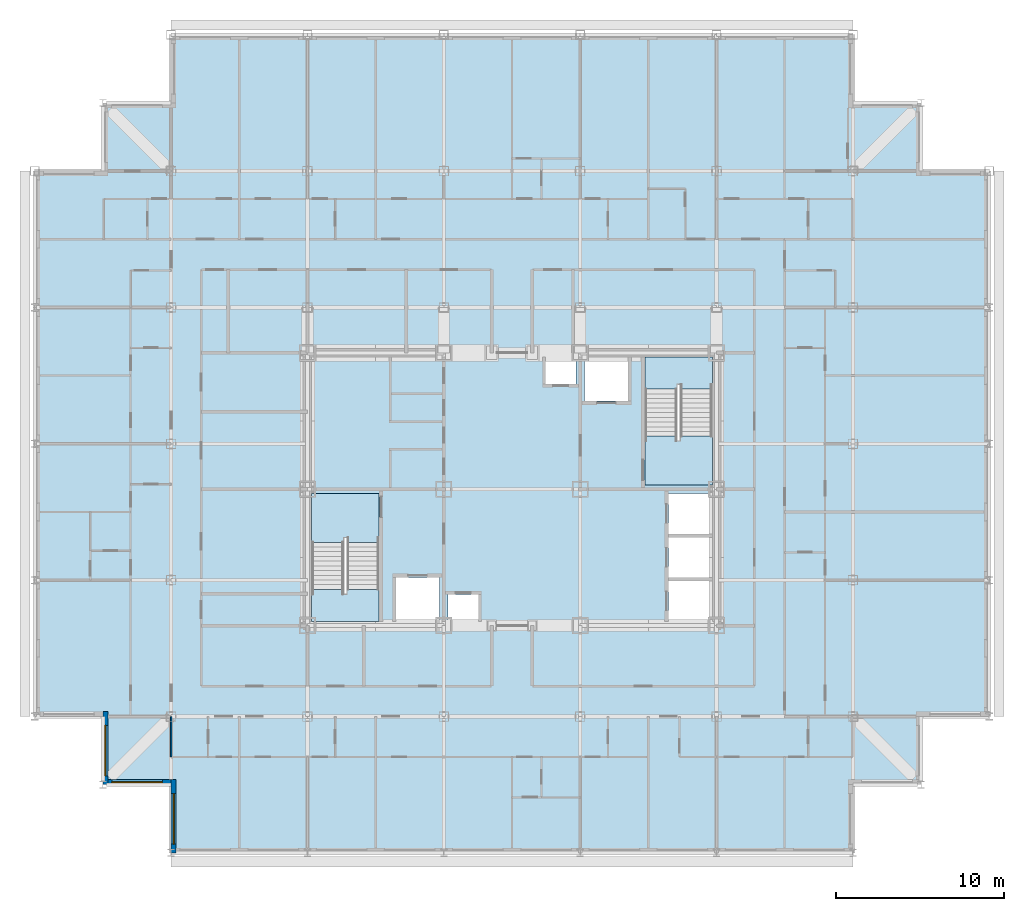
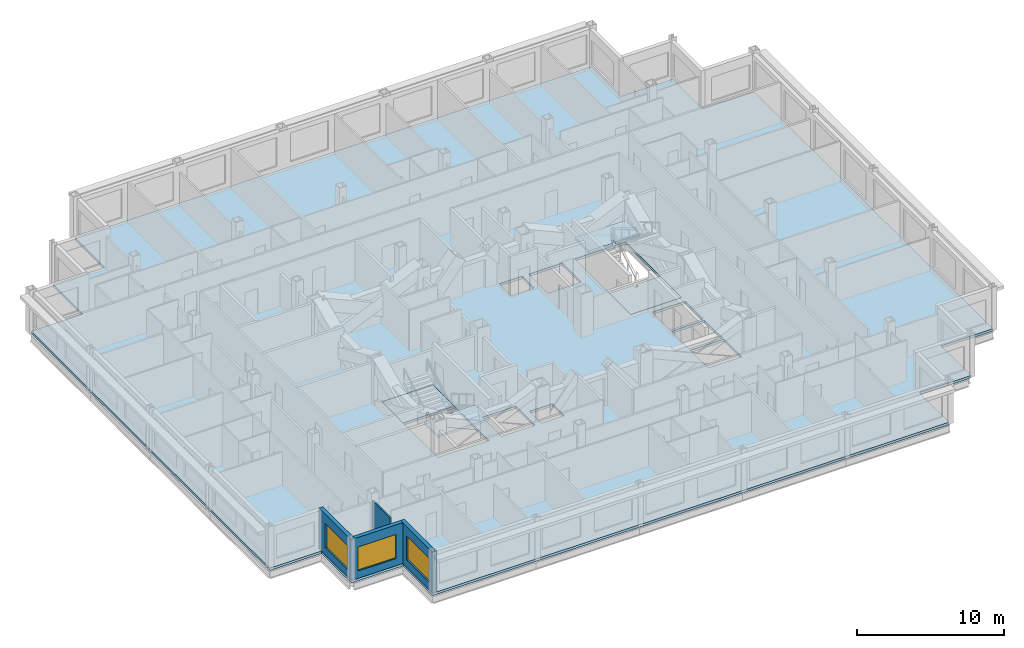
# One storey, part 3 of 12: 5 slabs, 4 walls, 3 windows, 3 openings, 2 elements without a shape of their own.
"""IFC4 building model written with IfcOpenShell, lengths in metres."""

from ifc_helpers import new_model, si_unit, direction, frame, frame_2d, origin, place, context, subcontext, project, spatial, polyline, rectangle, outline, extrude, material, layer, layer_set, type_object, element, fill, aggregate, save


model = new_model("IFC4")

# Units and contexts
model_context = context("Model", 3, precision=1e-05, world=origin(), true_north=direction((0.0, 1.0)))
body_context = subcontext(model_context, "Body", "Model", "MODEL_VIEW")
ifc_project = project(units=[si_unit("LENGTHUNIT", "METRE"), si_unit("AREAUNIT", "SQUARE_METRE"), si_unit("VOLUMEUNIT", "CUBIC_METRE"), si_unit("PLANEANGLEUNIT", "RADIAN"), si_unit("MASSUNIT", "GRAM", prefix="KILO")], contexts=[model_context])

# Site, building, storey
site_placement = place(None, origin())
site = spatial("IfcSite", under=ifc_project, at=site_placement, CompositionType="ELEMENT")
building_placement = place(site_placement, origin())
building = spatial("IfcBuilding", under=site, at=building_placement, Name="Kopane Lantern Tower", CompositionType="ELEMENT")
storey_placement = place(building_placement, frame((0.0, 0.0, 202.800048828125)))
storey = spatial("IfcBuildingStorey", under=building, at=storey_placement, Name="L52", CompositionType="ELEMENT", Elevation=202.800048828125)

# Slab
ifc_material_1 = material(Name="Concrete C40/50", Category="concrete")
ifc_layer_1 = layer(ifc_material_1, 0.2099609375)
ifc_layer_set_1 = layer_set([ifc_layer_1], Name="SLAB 210 COMPOSITE")
slab_type_1 = type_object("IfcSlabType", Name="SLAB 210 COMPOSITE", PredefinedType="FLOOR", material=ifc_layer_set_1)
slab_1_placement = place(storey_placement, frame((0.0, 0.0, -0.2099609375)))
element("IfcSlab", 1, at=slab_1_placement, inside=storey, type_object=slab_type_1, Name="Floor slab L52", PredefinedType="FLOOR", context=body_context, shape_type="SweptSolid", body=[
    extrude(outline(polyline([(8.10009765625, 10.800048828125), (48.60009765625, 10.800048828125), (48.60009765625, 14.85009765625), (52.64990234375, 14.85009765625), (52.64990234375, 18.89990234375), (56.699951171875, 18.89990234375), (56.699951171875, 51.300048828125), (52.64990234375, 51.300048828125), (52.64990234375, 55.35009765625), (48.60009765625, 55.35009765625), (48.60009765625, 59.39990234375), (8.10009765625, 59.39990234375), (8.10009765625, 55.35009765625), (4.050048828125, 55.35009765625), (4.050048828125, 51.300048828125), (0.0, 51.300048828125), (0.0, 18.89990234375), (4.050048828125, 18.89990234375), (4.050048828125, 14.85009765625), (8.10009765625, 14.85009765625), (8.10009765625, 10.800048828125)]), holes=[polyline([(16.449951171875, 24.550048828125), (20.449951171875, 24.550048828125), (20.449951171875, 32.14990234375), (16.449951171875, 32.14990234375), (16.449951171875, 24.550048828125)]), polyline([(36.25, 32.64990234375), (40.25, 32.64990234375), (40.25, 40.25), (36.25, 40.25), (36.25, 32.64990234375)]), polyline([(37.64990234375, 24.550048828125), (40.25, 24.550048828125), (40.25, 26.949951171875), (37.64990234375, 26.949951171875), (37.64990234375, 24.550048828125)]), polyline([(37.64990234375, 27.14990234375), (40.25, 27.14990234375), (40.25, 29.550048828125), (37.64990234375, 29.550048828125), (37.64990234375, 27.14990234375)]), polyline([(37.64990234375, 29.75), (40.25, 29.75), (40.25, 32.14990234375), (37.64990234375, 32.14990234375), (37.64990234375, 29.75)]), polyline([(21.449951171875, 24.550048828125), (24.050048828125, 24.550048828125), (24.050048828125, 27.14990234375), (21.449951171875, 27.14990234375), (21.449951171875, 24.550048828125)]), polyline([(32.64990234375, 37.64990234375), (35.25, 37.64990234375), (35.25, 40.25), (32.64990234375, 40.25), (32.64990234375, 37.64990234375)]), polyline([(24.550048828125, 24.550048828125), (26.35009765625, 24.550048828125), (26.35009765625, 26.14990234375), (24.550048828125, 26.14990234375), (24.550048828125, 24.550048828125)]), polyline([(30.35009765625, 38.64990234375), (32.14990234375, 38.64990234375), (32.14990234375, 40.25), (30.35009765625, 40.25), (30.35009765625, 38.64990234375)])]), origin(), (0.0, 0.0, 1.0), 0.2099609375),
])

# Stair, slabs
ifc_material_2 = material(Name="Steel S355JR", Category="steel")
stair_type = type_object("IfcStairType", Name="EXIT STAIR 1900 HALF TURN", PredefinedType="HALF_TURN_STAIR", material=ifc_material_2)
stair_1_placement = place(storey_placement, origin())
stair_1 = element("IfcStair", 2, at=stair_1_placement, inside=storey, type_object=stair_type, Name="Exit stair ST1 L52", PredefinedType="HALF_TURN_STAIR")
ifc_material_3 = material(Name="Concrete C40/50", Category="concrete")
ifc_layer_2 = layer(ifc_material_3, 0.199951171875)
ifc_layer_set_2 = layer_set([ifc_layer_2], Name="STAIR LANDING 200")
slab_type_2 = type_object("IfcSlabType", Name="STAIR LANDING 200", PredefinedType="LANDING", material=ifc_layer_set_2)
slab_2_placement = place(storey_placement, frame((0.0, 0.0, -0.199951171875)))
slab_2 = element("IfcSlab", 3, at=slab_2_placement, type_object=slab_type_2, Name="ST1 landing 1", PredefinedType="LANDING", context=body_context, shape_type="SweptSolid", body=[
    extrude(outline(polyline([(18.35009765625, 29.530029296875), (18.550048828125, 29.530029296875), (18.550048828125, 29.25), (20.449951171875, 29.25), (20.449951171875, 32.14990234375), (16.449951171875, 32.14990234375), (16.449951171875, 29.25), (18.35009765625, 29.25), (18.35009765625, 29.530029296875)])), origin(), (0.0, 0.0, 1.0), 0.199951171875),
])
slab_3_placement = place(storey_placement, frame((0.0, 0.0, 1.599853515625)))
slab_3 = element("IfcSlab", 4, at=slab_3_placement, type_object=slab_type_2, Name="ST1 landing 2", PredefinedType="LANDING", context=body_context, shape_type="SweptSolid", body=[
    extrude(outline(polyline([(20.449951171875, 26.449951171875), (18.550048828125, 26.449951171875), (18.550048828125, 26.169921875), (18.35009765625, 26.169921875), (18.35009765625, 26.449951171875), (16.449951171875, 26.449951171875), (16.449951171875, 24.550048828125), (20.449951171875, 24.550048828125), (20.449951171875, 26.449951171875)])), origin(), (0.0, 0.0, 1.0), 0.2001953125),
])
aggregate(stair_1, [slab_2, slab_3])

stair_2_placement = place(storey_placement, origin())
stair_2 = element("IfcStair", 5, at=stair_2_placement, inside=storey, type_object=stair_type, Name="Exit stair ST2 L52", PredefinedType="HALF_TURN_STAIR")
slab_4_placement = place(storey_placement, frame((0.0, 0.0, -0.199951171875)))
slab_4 = element("IfcSlab", 6, at=slab_4_placement, type_object=slab_type_2, Name="ST2 landing 1", PredefinedType="LANDING", context=body_context, shape_type="SweptSolid", body=[
    extrude(outline(polyline([(40.25, 35.550048828125), (38.35009765625, 35.550048828125), (38.35009765625, 35.27001953125), (38.14990234375, 35.27001953125), (38.14990234375, 35.550048828125), (36.25, 35.550048828125), (36.25, 32.64990234375), (40.25, 32.64990234375), (40.25, 35.550048828125)])), origin(), (0.0, 0.0, 1.0), 0.199951171875),
])
slab_5_placement = place(storey_placement, frame((0.0, 0.0, 1.599853515625)))
slab_5 = element("IfcSlab", 7, at=slab_5_placement, type_object=slab_type_2, Name="ST2 landing 2", PredefinedType="LANDING", context=body_context, shape_type="SweptSolid", body=[
    extrude(outline(polyline([(38.14990234375, 38.6298828125), (38.35009765625, 38.6298828125), (38.35009765625, 38.35009765625), (40.25, 38.35009765625), (40.25, 40.25), (36.25, 40.25), (36.25, 38.35009765625), (38.14990234375, 38.35009765625), (38.14990234375, 38.6298828125)])), origin(), (0.0, 0.0, 1.0), 0.2001953125),
])
aggregate(stair_2, [slab_4, slab_5])

# Wall
ifc_material_4 = material(Name="Moisture-resistant board on steel studs", Category="steel")
ifc_layer_3 = layer(ifc_material_4, 0.10009765625)
ifc_layer_set_3 = layer_set([ifc_layer_3], Name="BATHROOM WALL 100")
wall_type_1 = type_object("IfcWallType", Name="BATHROOM WALL 100", PredefinedType="PARTITIONING", material=ifc_layer_set_3)
wall_1_placement = place(storey_placement, frame((8.10009765625, 18.89990234375, 0.0), z_axis=(0.0, 0.0, 1.0), x_axis=(0.0, -1.0, 0.0)))
element("IfcWall", 8, at=wall_1_placement, inside=storey, type_object=wall_type_1, Name="Bathroom Wall 100 L52", PredefinedType="PARTITIONING", context=body_context, shape_type="SweptSolid", body=[
    extrude(rectangle(XDim=2.39990234375, YDim=0.10009765625, at=frame_2d((1.199951171875, 0.0))), origin(), (0.0, 0.0, 1.0), 2.77783203125),
])

# Wall, opening, window
ifc_material_5 = material(Name="Terracotta rainscreen on light steel framing", Category="masonry")
ifc_layer_4 = layer(ifc_material_5, 0.300048828125)
ifc_layer_set_4 = layer_set([ifc_layer_4], Name="EXTERNAL WALL EW1 300 TERRACOTTA")
wall_type_2 = type_object("IfcWallType", Name="EXTERNAL WALL EW1 300 TERRACOTTA", PredefinedType="SOLIDWALL", material=ifc_layer_set_4)
wall_2_placement = place(storey_placement, frame((4.199951171875, 19.199951171875, 0.0), z_axis=(0.0, 0.0, 1.0), x_axis=(0.0, -1.0, 0.0)))
wall_2 = element("IfcWall", 9, at=wall_2_placement, inside=storey, type_object=wall_type_2, Name="External wall W L52", PredefinedType="SOLIDWALL", context=body_context, shape_type="SweptSolid", body=[
    extrude(rectangle(XDim=4.349853515625, YDim=0.300048828125, at=frame_2d((2.1748046875, 0.0))), origin(), (0.0, 0.0, 1.0), 3.389892578125),
])
opening_1_placement = place(wall_2_placement, frame((0.824951171875, 0.0, 0.60009765625)))
opening_1 = element("IfcOpeningElement", 10, at=opening_1_placement, cuts=wall_2, Name="Opening WR300200", PredefinedType="OPENING", context=body_context, shape_type="SweptSolid", body=[
    extrude(rectangle(XDim=3.0, YDim=2.0, at=frame_2d((1.5, 1.0))), frame((0.0, 0.159912109375, 0.0), z_axis=(0.0, -1.0, 0.0), x_axis=(1.0, 0.0, 0.0)), (0.0, 0.0, 1.0), 0.320068359375),
])
ifc_material_6 = material(Name="Aluminium and clear glass", Category="aluminium")
window_type = type_object("IfcWindowType", Name="RIBBON WINDOW WR300200 3000x2000", PartitioningType="SINGLE_PANEL", PredefinedType="WINDOW", material=ifc_material_6)
window_1_placement = place(opening_1_placement, origin())
window_1 = element("IfcWindow", 11, at=window_1_placement, inside=storey, type_object=window_type, Name="Window W L52", OverallHeight=2.0, OverallWidth=3.0, PartitioningType="SINGLE_PANEL", PredefinedType="WINDOW", context=body_context, shape_type="SweptSolid", body=[
    extrude(rectangle(XDim=3.0, YDim=2.0, at=frame_2d((1.5, 1.0))), frame((0.0, 0.030029296875, 0.0), z_axis=(0.0, -1.0, 0.0), x_axis=(1.0, 0.0, 0.0)), (0.0, 0.0, 1.0), 0.06005859375),
])
fill(opening_1, window_1)

wall_3_placement = place(storey_placement, frame((4.35009765625, 15.0, 0.0), z_axis=(0.0, 0.0, 1.0), x_axis=(1.0, 0.0, 0.0)))
wall_3 = element("IfcWall", 12, at=wall_3_placement, inside=storey, type_object=wall_type_2, Name="External wall S L52", PredefinedType="SOLIDWALL", context=body_context, shape_type="SweptSolid", body=[
    extrude(rectangle(XDim=3.75, YDim=0.300048828125, at=frame_2d((1.875, 0.0))), origin(), (0.0, 0.0, 1.0), 3.389892578125),
])
opening_2_placement = place(wall_3_placement, frame((0.22509765625, 0.0, 0.60009765625)))
opening_2 = element("IfcOpeningElement", 13, at=opening_2_placement, cuts=wall_3, Name="Opening WR300200", PredefinedType="OPENING", context=body_context, shape_type="SweptSolid", body=[
    extrude(rectangle(XDim=3.0, YDim=2.0, at=frame_2d((1.5, 1.0))), frame((0.0, 0.159912109375, 0.0), z_axis=(0.0, -1.0, 0.0), x_axis=(1.0, 0.0, 0.0)), (0.0, 0.0, 1.0), 0.320068359375),
])
window_2_placement = place(opening_2_placement, origin())
window_2 = element("IfcWindow", 14, at=window_2_placement, inside=storey, type_object=window_type, Name="Window S L52", OverallHeight=2.0, OverallWidth=3.0, PartitioningType="SINGLE_PANEL", PredefinedType="WINDOW", context=body_context, shape_type="SweptSolid", body=[
    extrude(rectangle(XDim=3.0, YDim=2.0, at=frame_2d((1.5, 1.0))), frame((0.0, 0.030029296875, 0.0), z_axis=(0.0, -1.0, 0.0), x_axis=(1.0, 0.0, 0.0)), (0.0, 0.0, 1.0), 0.06005859375),
])
fill(opening_2, window_2)

wall_4_placement = place(storey_placement, frame((8.25, 15.14990234375, 0.0), z_axis=(0.0, 0.0, 1.0), x_axis=(0.0, -1.0, 0.0)))
wall_4 = element("IfcWall", 15, at=wall_4_placement, inside=storey, type_object=wall_type_2, Name="External wall W L52", PredefinedType="SOLIDWALL", context=body_context, shape_type="SweptSolid", body=[
    extrude(rectangle(XDim=4.349853515625, YDim=0.300048828125, at=frame_2d((2.1748046875, 0.0))), origin(), (0.0, 0.0, 1.0), 3.389892578125),
])
opening_3_placement = place(wall_4_placement, frame((0.824951171875, 0.0, 0.60009765625)))
opening_3 = element("IfcOpeningElement", 16, at=opening_3_placement, cuts=wall_4, Name="Opening WR300200", PredefinedType="OPENING", context=body_context, shape_type="SweptSolid", body=[
    extrude(rectangle(XDim=3.0, YDim=2.0, at=frame_2d((1.5, 1.0))), frame((0.0, 0.159912109375, 0.0), z_axis=(0.0, -1.0, 0.0), x_axis=(1.0, 0.0, 0.0)), (0.0, 0.0, 1.0), 0.320068359375),
])
window_3_placement = place(opening_3_placement, origin())
window_3 = element("IfcWindow", 17, at=window_3_placement, inside=storey, type_object=window_type, Name="Window W L52", OverallHeight=2.0, OverallWidth=3.0, PartitioningType="SINGLE_PANEL", PredefinedType="WINDOW", context=body_context, shape_type="SweptSolid", body=[
    extrude(rectangle(XDim=3.0, YDim=2.0, at=frame_2d((1.5, 1.0))), frame((0.0, 0.030029296875, 0.0), z_axis=(0.0, -1.0, 0.0), x_axis=(1.0, 0.0, 0.0)), (0.0, 0.0, 1.0), 0.06005859375),
])
fill(opening_3, window_3)

save(model, "model.ifc")
